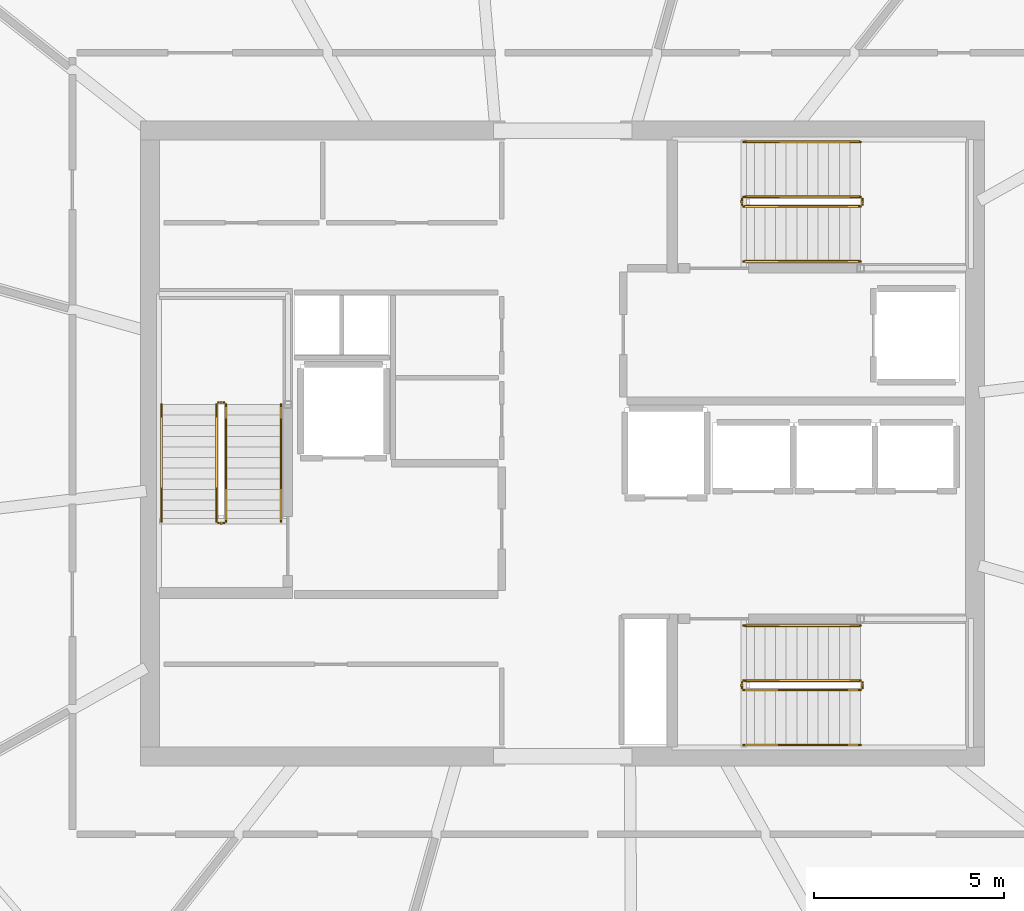
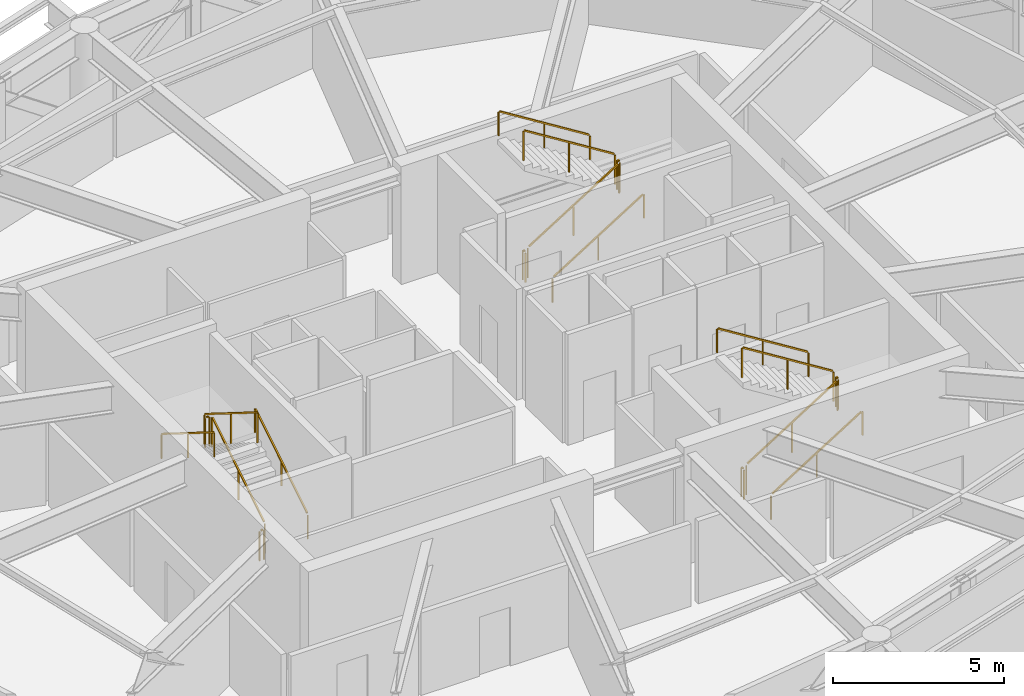
# One storey, part 14 of 14: 18 railings.
"""IFC4 building model written with IfcOpenShell, lengths in metres."""

from ifc_helpers import new_model, si_unit, direction, frame, origin, origin_2d, place, context, subcontext, project, spatial, rectangle, extrude, material, type_object, element, save


model = new_model("IFC4")

# Units and contexts
model_context = context("Model", 3, precision=1e-05, world=origin(), true_north=direction((0.0, 1.0)))
body_context = subcontext(model_context, "Body", "Model", "MODEL_VIEW")
ifc_project = project(units=[si_unit("LENGTHUNIT", "METRE"), si_unit("AREAUNIT", "SQUARE_METRE"), si_unit("VOLUMEUNIT", "CUBIC_METRE"), si_unit("PLANEANGLEUNIT", "RADIAN"), si_unit("MASSUNIT", "GRAM", prefix="KILO")], contexts=[model_context])

# Site, building, storey
site_placement = place(None, origin())
site = spatial("IfcSite", under=ifc_project, at=site_placement, CompositionType="ELEMENT")
building_placement = place(site_placement, origin())
building = spatial("IfcBuilding", under=site, at=building_placement, Name="Kazma Halo Residences", CompositionType="ELEMENT")
storey_placement = place(building_placement, frame((0.0, 0.0, 343.10009765625)))
storey = spatial("IfcBuildingStorey", under=building, at=storey_placement, Name="L86", CompositionType="ELEMENT", Elevation=343.10009765625)

# Railings
ifc_material_1 = material(Name="Painted Steel S355", Category="steel")
railing_type_1 = type_object("IfcRailingType", Name="RLG-STAIR-GRD-1100", PredefinedType="GUARDRAIL", material=ifc_material_1)
railing_1_placement = place(storey_placement, frame((39.550048828125, 39.949951171875, 0.1748046875)))
element("IfcRailing", 1, at=railing_1_placement, inside=storey, type_object=railing_type_1, Name="L86 ST-01 stair guard 1", PredefinedType="GUARDRAIL", context=body_context, shape_type="SweptSolid", body=[
    extrude(rectangle(XDim=0.050048828125, YDim=0.050048828125, at=origin_2d()), frame((0.0, 0.0361328125, 1.09765625), z_axis=(0.0, 0.847998304005, 0.529998940003), x_axis=(-1.0, 0.0, 0.0)), (0.0, 0.0, 1.0), 3.547119140625),
    extrude(rectangle(XDim=0.0400390625, YDim=0.0400390625, at=origin_2d()), origin(), (0.0, 0.0, 1.0), 1.0380859375),
    extrude(rectangle(XDim=0.0400390625, YDim=0.0400390625, at=origin_2d()), frame((0.0, 1.5400390625, 0.96240234375)), (0.0, 0.0, 1.0), 1.0380859375),
    extrude(rectangle(XDim=0.0400390625, YDim=0.0400390625, at=origin_2d()), frame((0.0, 3.080078125, 1.925048828125)), (0.0, 0.0, 1.0), 1.0380859375),
])
railing_2_placement = place(storey_placement, frame((39.5, 43.080078125, 2.099853515625)))
element("IfcRailing", 2, at=railing_2_placement, inside=storey, type_object=railing_type_1, Name="L86 ST-01 stair guard 2", PredefinedType="GUARDRAIL", context=body_context, shape_type="SweptSolid", body=[
    extrude(rectangle(XDim=0.050048828125, YDim=0.050048828125, at=origin_2d()), frame((-0.04248046875, 0.0, 1.0751953125), z_axis=(-1.0, 0.0, 0.0), x_axis=(0.0, -1.0, 0.0)), (0.0, 0.0, 1.0), 0.06494140625),
    extrude(rectangle(XDim=0.0400390625, YDim=0.0400390625, at=origin_2d()), origin(), (0.0, 0.0, 1.0), 1.0380859375),
    extrude(rectangle(XDim=0.0400390625, YDim=0.0400390625, at=origin_2d()), frame((-0.14990234375, 0.0, 0.0)), (0.0, 0.0, 1.0), 1.0380859375),
])
railing_3_placement = place(storey_placement, frame((39.300048828125, 43.030029296875, 2.27490234375)))
element("IfcRailing", 3, at=railing_3_placement, inside=storey, type_object=railing_type_1, Name="L86 ST-01 stair guard 3", PredefinedType="GUARDRAIL", context=body_context, shape_type="SweptSolid", body=[
    extrude(rectangle(XDim=0.050048828125, YDim=0.050048828125, at=origin_2d()), frame((0.0, -0.0361328125, 1.09765625), z_axis=(0.0, -0.847998304005, 0.529998940003), x_axis=(1.0, 0.0, 0.0)), (0.0, 0.0, 1.0), 3.547119140625),
    extrude(rectangle(XDim=0.0400390625, YDim=0.0400390625, at=origin_2d()), origin(), (0.0, 0.0, 1.0), 1.0380859375),
    extrude(rectangle(XDim=0.0400390625, YDim=0.0400390625, at=origin_2d()), frame((0.0, -1.5400390625, 0.96240234375)), (0.0, 0.0, 1.0), 1.0380859375),
    extrude(rectangle(XDim=0.0400390625, YDim=0.0400390625, at=origin_2d()), frame((0.0, -3.080078125, 1.925048828125)), (0.0, 0.0, 1.0), 1.0380859375),
])
railing_4_placement = place(storey_placement, frame((39.5, 39.89990234375, 0.0)))
element("IfcRailing", 4, at=railing_4_placement, inside=storey, type_object=railing_type_1, Name="L86 ST-01 stair guard 4", PredefinedType="GUARDRAIL", context=body_context, shape_type="SweptSolid", body=[
    extrude(rectangle(XDim=0.050048828125, YDim=0.050048828125, at=origin_2d()), frame((-0.04248046875, 0.0, 1.0751953125), z_axis=(-1.0, 0.0, 0.0), x_axis=(0.0, -1.0, 0.0)), (0.0, 0.0, 1.0), 0.06494140625),
    extrude(rectangle(XDim=0.0400390625, YDim=0.0400390625, at=origin_2d()), origin(), (0.0, 0.0, 1.0), 1.0380859375),
    extrude(rectangle(XDim=0.0400390625, YDim=0.0400390625, at=origin_2d()), frame((-0.14990234375, 0.0, 0.0)), (0.0, 0.0, 1.0), 1.0380859375),
])
railing_5_placement = place(storey_placement, frame((53.199951171875, 48.25, 0.1748046875)))
element("IfcRailing", 5, at=railing_5_placement, inside=storey, type_object=railing_type_1, Name="L86 ST-02 stair guard 1", PredefinedType="GUARDRAIL", context=body_context, shape_type="SweptSolid", body=[
    extrude(rectangle(XDim=0.050048828125, YDim=0.050048828125, at=origin_2d()), frame((0.0361328125, 0.0, 1.09765625), z_axis=(0.847998304005, 0.0, 0.529998940003), x_axis=(0.0, 1.0, 0.0)), (0.0, 0.0, 1.0), 3.547119140625),
    extrude(rectangle(XDim=0.0400390625, YDim=0.0400390625, at=origin_2d()), origin(), (0.0, 0.0, 1.0), 1.0380859375),
    extrude(rectangle(XDim=0.0400390625, YDim=0.0400390625, at=origin_2d()), frame((1.5400390625, 0.0, 0.96240234375)), (0.0, 0.0, 1.0), 1.0380859375),
    extrude(rectangle(XDim=0.0400390625, YDim=0.0400390625, at=origin_2d()), frame((3.080078125, 0.0, 1.925048828125)), (0.0, 0.0, 1.0), 1.0380859375),
])
railing_6_placement = place(storey_placement, frame((56.330078125, 48.300048828125, 2.099853515625)))
element("IfcRailing", 6, at=railing_6_placement, inside=storey, type_object=railing_type_1, Name="L86 ST-02 stair guard 2", PredefinedType="GUARDRAIL", context=body_context, shape_type="SweptSolid", body=[
    extrude(rectangle(XDim=0.050048828125, YDim=0.050048828125, at=origin_2d()), frame((0.0, 0.04248046875, 1.0751953125), z_axis=(0.0, 1.0, 0.0), x_axis=(-1.0, 0.0, 0.0)), (0.0, 0.0, 1.0), 0.06494140625),
    extrude(rectangle(XDim=0.0400390625, YDim=0.0400390625, at=origin_2d()), origin(), (0.0, 0.0, 1.0), 1.0380859375),
    extrude(rectangle(XDim=0.0400390625, YDim=0.0400390625, at=origin_2d()), frame((0.0, 0.14990234375, 0.0)), (0.0, 0.0, 1.0), 1.0380859375),
])
railing_7_placement = place(storey_placement, frame((56.280029296875, 48.5, 2.27490234375)))
element("IfcRailing", 7, at=railing_7_placement, inside=storey, type_object=railing_type_1, Name="L86 ST-02 stair guard 3", PredefinedType="GUARDRAIL", context=body_context, shape_type="SweptSolid", body=[
    extrude(rectangle(XDim=0.050048828125, YDim=0.050048828125, at=origin_2d()), frame((-0.0361328125, 0.0, 1.09765625), z_axis=(-0.847998304005, 0.0, 0.529998940003), x_axis=(0.0, -1.0, 0.0)), (0.0, 0.0, 1.0), 3.547119140625),
    extrude(rectangle(XDim=0.0400390625, YDim=0.0400390625, at=origin_2d()), origin(), (0.0, 0.0, 1.0), 1.0380859375),
    extrude(rectangle(XDim=0.0400390625, YDim=0.0400390625, at=origin_2d()), frame((-1.5400390625, 0.0, 0.96240234375)), (0.0, 0.0, 1.0), 1.0380859375),
    extrude(rectangle(XDim=0.0400390625, YDim=0.0400390625, at=origin_2d()), frame((-3.080078125, 0.0, 1.925048828125)), (0.0, 0.0, 1.0), 1.0380859375),
])
railing_8_placement = place(storey_placement, frame((53.14990234375, 48.300048828125, 0.0)))
element("IfcRailing", 8, at=railing_8_placement, inside=storey, type_object=railing_type_1, Name="L86 ST-02 stair guard 4", PredefinedType="GUARDRAIL", context=body_context, shape_type="SweptSolid", body=[
    extrude(rectangle(XDim=0.050048828125, YDim=0.050048828125, at=origin_2d()), frame((0.0, 0.04248046875, 1.0751953125), z_axis=(0.0, 1.0, 0.0), x_axis=(-1.0, 0.0, 0.0)), (0.0, 0.0, 1.0), 0.06494140625),
    extrude(rectangle(XDim=0.0400390625, YDim=0.0400390625, at=origin_2d()), origin(), (0.0, 0.0, 1.0), 1.0380859375),
    extrude(rectangle(XDim=0.0400390625, YDim=0.0400390625, at=origin_2d()), frame((0.0, 0.14990234375, 0.0)), (0.0, 0.0, 1.0), 1.0380859375),
])
railing_9_placement = place(storey_placement, frame((53.199951171875, 35.5, 0.1748046875)))
element("IfcRailing", 9, at=railing_9_placement, inside=storey, type_object=railing_type_1, Name="L86 ST-03 stair guard 1", PredefinedType="GUARDRAIL", context=body_context, shape_type="SweptSolid", body=[
    extrude(rectangle(XDim=0.050048828125, YDim=0.050048828125, at=origin_2d()), frame((0.0361328125, 0.0, 1.09765625), z_axis=(0.847998304005, 0.0, 0.529998940003), x_axis=(0.0, 1.0, 0.0)), (0.0, 0.0, 1.0), 3.547119140625),
    extrude(rectangle(XDim=0.0400390625, YDim=0.0400390625, at=origin_2d()), origin(), (0.0, 0.0, 1.0), 1.0380859375),
    extrude(rectangle(XDim=0.0400390625, YDim=0.0400390625, at=origin_2d()), frame((1.5400390625, 0.0, 0.96240234375)), (0.0, 0.0, 1.0), 1.0380859375),
    extrude(rectangle(XDim=0.0400390625, YDim=0.0400390625, at=origin_2d()), frame((3.080078125, 0.0, 1.925048828125)), (0.0, 0.0, 1.0), 1.0380859375),
])
railing_10_placement = place(storey_placement, frame((56.330078125, 35.550048828125, 2.099853515625)))
element("IfcRailing", 10, at=railing_10_placement, inside=storey, type_object=railing_type_1, Name="L86 ST-03 stair guard 2", PredefinedType="GUARDRAIL", context=body_context, shape_type="SweptSolid", body=[
    extrude(rectangle(XDim=0.050048828125, YDim=0.050048828125, at=origin_2d()), frame((0.0, 0.04248046875, 1.0751953125), z_axis=(0.0, 1.0, 0.0), x_axis=(-1.0, 0.0, 0.0)), (0.0, 0.0, 1.0), 0.06494140625),
    extrude(rectangle(XDim=0.0400390625, YDim=0.0400390625, at=origin_2d()), origin(), (0.0, 0.0, 1.0), 1.0380859375),
    extrude(rectangle(XDim=0.0400390625, YDim=0.0400390625, at=origin_2d()), frame((0.0, 0.14990234375, 0.0)), (0.0, 0.0, 1.0), 1.0380859375),
])
railing_11_placement = place(storey_placement, frame((56.280029296875, 35.75, 2.27490234375)))
element("IfcRailing", 11, at=railing_11_placement, inside=storey, type_object=railing_type_1, Name="L86 ST-03 stair guard 3", PredefinedType="GUARDRAIL", context=body_context, shape_type="SweptSolid", body=[
    extrude(rectangle(XDim=0.050048828125, YDim=0.050048828125, at=origin_2d()), frame((-0.0361328125, 0.0, 1.09765625), z_axis=(-0.847998304005, 0.0, 0.529998940003), x_axis=(0.0, -1.0, 0.0)), (0.0, 0.0, 1.0), 3.547119140625),
    extrude(rectangle(XDim=0.0400390625, YDim=0.0400390625, at=origin_2d()), origin(), (0.0, 0.0, 1.0), 1.0380859375),
    extrude(rectangle(XDim=0.0400390625, YDim=0.0400390625, at=origin_2d()), frame((-1.5400390625, 0.0, 0.96240234375)), (0.0, 0.0, 1.0), 1.0380859375),
    extrude(rectangle(XDim=0.0400390625, YDim=0.0400390625, at=origin_2d()), frame((-3.080078125, 0.0, 1.925048828125)), (0.0, 0.0, 1.0), 1.0380859375),
])
railing_12_placement = place(storey_placement, frame((53.14990234375, 35.550048828125, 0.0)))
element("IfcRailing", 12, at=railing_12_placement, inside=storey, type_object=railing_type_1, Name="L86 ST-03 stair guard 4", PredefinedType="GUARDRAIL", context=body_context, shape_type="SweptSolid", body=[
    extrude(rectangle(XDim=0.050048828125, YDim=0.050048828125, at=origin_2d()), frame((0.0, 0.04248046875, 1.0751953125), z_axis=(0.0, 1.0, 0.0), x_axis=(-1.0, 0.0, 0.0)), (0.0, 0.0, 1.0), 0.06494140625),
    extrude(rectangle(XDim=0.0400390625, YDim=0.0400390625, at=origin_2d()), origin(), (0.0, 0.0, 1.0), 1.0380859375),
    extrude(rectangle(XDim=0.0400390625, YDim=0.0400390625, at=origin_2d()), frame((0.0, 0.14990234375, 0.0)), (0.0, 0.0, 1.0), 1.0380859375),
])
ifc_material_2 = material(Name="Brushed Stainless Steel", Category="steel")
railing_type_2 = type_object("IfcRailingType", Name="RLG-STAIR-HND-900", PredefinedType="HANDRAIL", material=ifc_material_2)
railing_13_placement = place(storey_placement, frame((41.0, 39.949951171875, 0.1748046875)))
element("IfcRailing", 13, at=railing_13_placement, inside=storey, type_object=railing_type_2, Name="L86 ST-01 stair handrail 1", PredefinedType="HANDRAIL", context=body_context, shape_type="SweptSolid", body=[
    extrude(rectangle(XDim=0.050048828125, YDim=0.050048828125, at=origin_2d()), frame((0.0, 0.0361328125, 0.8974609375), z_axis=(0.0, 0.847998304005, 0.529998940003), x_axis=(-1.0, 0.0, 0.0)), (0.0, 0.0, 1.0), 3.547119140625),
    extrude(rectangle(XDim=0.0400390625, YDim=0.0400390625, at=origin_2d()), origin(), (0.0, 0.0, 1.0), 0.837890625),
    extrude(rectangle(XDim=0.0400390625, YDim=0.0400390625, at=origin_2d()), frame((0.0, 1.5400390625, 0.96240234375)), (0.0, 0.0, 1.0), 0.837890625),
    extrude(rectangle(XDim=0.0400390625, YDim=0.0400390625, at=origin_2d()), frame((0.0, 3.080078125, 1.925048828125)), (0.0, 0.0, 1.0), 0.837890625),
])
railing_14_placement = place(storey_placement, frame((37.85009765625, 43.030029296875, 2.27490234375)))
element("IfcRailing", 14, at=railing_14_placement, inside=storey, type_object=railing_type_2, Name="L86 ST-01 stair handrail 2", PredefinedType="HANDRAIL", context=body_context, shape_type="SweptSolid", body=[
    extrude(rectangle(XDim=0.050048828125, YDim=0.050048828125, at=origin_2d()), frame((0.0, -0.0361328125, 0.8974609375), z_axis=(0.0, -0.847998304005, 0.529998940003), x_axis=(1.0, 0.0, 0.0)), (0.0, 0.0, 1.0), 3.547119140625),
    extrude(rectangle(XDim=0.0400390625, YDim=0.0400390625, at=origin_2d()), origin(), (0.0, 0.0, 1.0), 0.837890625),
    extrude(rectangle(XDim=0.0400390625, YDim=0.0400390625, at=origin_2d()), frame((0.0, -1.5400390625, 0.96240234375)), (0.0, 0.0, 1.0), 0.837890625),
    extrude(rectangle(XDim=0.0400390625, YDim=0.0400390625, at=origin_2d()), frame((0.0, -3.080078125, 1.925048828125)), (0.0, 0.0, 1.0), 0.837890625),
])
railing_15_placement = place(storey_placement, frame((53.199951171875, 46.800048828125, 0.1748046875)))
element("IfcRailing", 15, at=railing_15_placement, inside=storey, type_object=railing_type_2, Name="L86 ST-02 stair handrail 1", PredefinedType="HANDRAIL", context=body_context, shape_type="SweptSolid", body=[
    extrude(rectangle(XDim=0.050048828125, YDim=0.050048828125, at=origin_2d()), frame((0.0361328125, 0.0, 0.8974609375), z_axis=(0.847998304005, 0.0, 0.529998940003), x_axis=(0.0, 1.0, 0.0)), (0.0, 0.0, 1.0), 3.547119140625),
    extrude(rectangle(XDim=0.0400390625, YDim=0.0400390625, at=origin_2d()), origin(), (0.0, 0.0, 1.0), 0.837890625),
    extrude(rectangle(XDim=0.0400390625, YDim=0.0400390625, at=origin_2d()), frame((1.5400390625, 0.0, 0.96240234375)), (0.0, 0.0, 1.0), 0.837890625),
    extrude(rectangle(XDim=0.0400390625, YDim=0.0400390625, at=origin_2d()), frame((3.080078125, 0.0, 1.925048828125)), (0.0, 0.0, 1.0), 0.837890625),
])
railing_16_placement = place(storey_placement, frame((56.280029296875, 49.949951171875, 2.27490234375)))
element("IfcRailing", 16, at=railing_16_placement, inside=storey, type_object=railing_type_2, Name="L86 ST-02 stair handrail 2", PredefinedType="HANDRAIL", context=body_context, shape_type="SweptSolid", body=[
    extrude(rectangle(XDim=0.050048828125, YDim=0.050048828125, at=origin_2d()), frame((-0.0361328125, 0.0, 0.8974609375), z_axis=(-0.847998304005, 0.0, 0.529998940003), x_axis=(0.0, -1.0, 0.0)), (0.0, 0.0, 1.0), 3.547119140625),
    extrude(rectangle(XDim=0.0400390625, YDim=0.0400390625, at=origin_2d()), origin(), (0.0, 0.0, 1.0), 0.837890625),
    extrude(rectangle(XDim=0.0400390625, YDim=0.0400390625, at=origin_2d()), frame((-1.5400390625, 0.0, 0.96240234375)), (0.0, 0.0, 1.0), 0.837890625),
    extrude(rectangle(XDim=0.0400390625, YDim=0.0400390625, at=origin_2d()), frame((-3.080078125, 0.0, 1.925048828125)), (0.0, 0.0, 1.0), 0.837890625),
])
railing_17_placement = place(storey_placement, frame((53.199951171875, 34.050048828125, 0.1748046875)))
element("IfcRailing", 17, at=railing_17_placement, inside=storey, type_object=railing_type_2, Name="L86 ST-03 stair handrail 1", PredefinedType="HANDRAIL", context=body_context, shape_type="SweptSolid", body=[
    extrude(rectangle(XDim=0.050048828125, YDim=0.050048828125, at=origin_2d()), frame((0.0361328125, 0.0, 0.8974609375), z_axis=(0.847998304005, 0.0, 0.529998940003), x_axis=(0.0, 1.0, 0.0)), (0.0, 0.0, 1.0), 3.547119140625),
    extrude(rectangle(XDim=0.0400390625, YDim=0.0400390625, at=origin_2d()), origin(), (0.0, 0.0, 1.0), 0.837890625),
    extrude(rectangle(XDim=0.0400390625, YDim=0.0400390625, at=origin_2d()), frame((1.5400390625, 0.0, 0.96240234375)), (0.0, 0.0, 1.0), 0.837890625),
    extrude(rectangle(XDim=0.0400390625, YDim=0.0400390625, at=origin_2d()), frame((3.080078125, 0.0, 1.925048828125)), (0.0, 0.0, 1.0), 0.837890625),
])
railing_18_placement = place(storey_placement, frame((56.280029296875, 37.199951171875, 2.27490234375)))
element("IfcRailing", 18, at=railing_18_placement, inside=storey, type_object=railing_type_2, Name="L86 ST-03 stair handrail 2", PredefinedType="HANDRAIL", context=body_context, shape_type="SweptSolid", body=[
    extrude(rectangle(XDim=0.050048828125, YDim=0.050048828125, at=origin_2d()), frame((-0.0361328125, 0.0, 0.8974609375), z_axis=(-0.847998304005, 0.0, 0.529998940003), x_axis=(0.0, -1.0, 0.0)), (0.0, 0.0, 1.0), 3.547119140625),
    extrude(rectangle(XDim=0.0400390625, YDim=0.0400390625, at=origin_2d()), origin(), (0.0, 0.0, 1.0), 0.837890625),
    extrude(rectangle(XDim=0.0400390625, YDim=0.0400390625, at=origin_2d()), frame((-1.5400390625, 0.0, 0.96240234375)), (0.0, 0.0, 1.0), 0.837890625),
    extrude(rectangle(XDim=0.0400390625, YDim=0.0400390625, at=origin_2d()), frame((-3.080078125, 0.0, 1.925048828125)), (0.0, 0.0, 1.0), 0.837890625),
])

save(model, "model.ifc")
